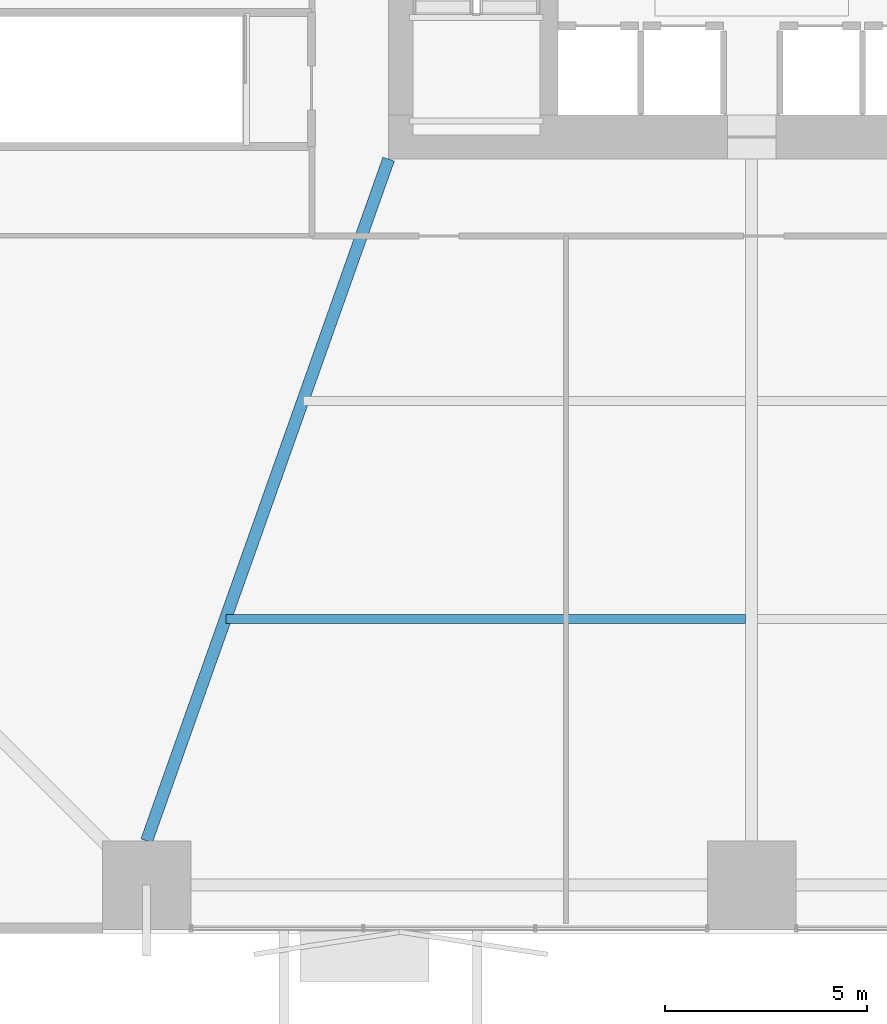
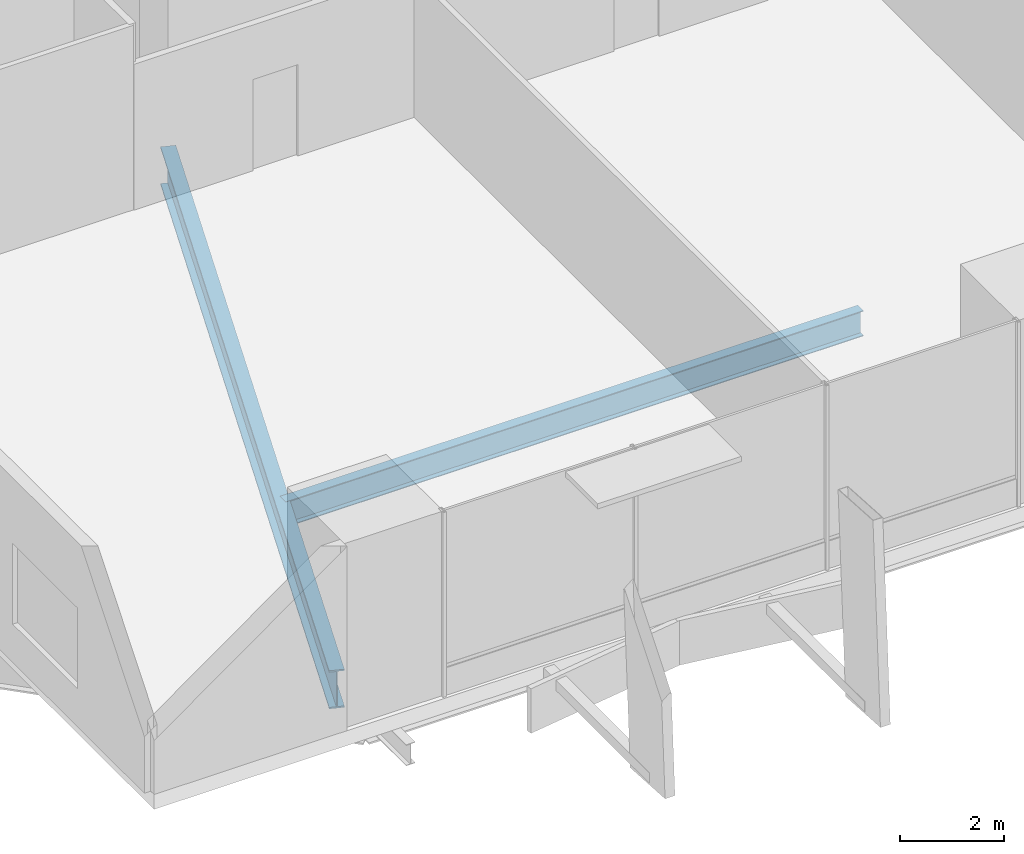
# One storey, part 3 of 24: 2 beams.
"""IFC4 building model written with IfcOpenShell, lengths in metres."""

from ifc_helpers import new_model, si_unit, direction, frame, origin, origin_2d, place, context, subcontext, project, spatial, i_section, extrude, material, material_profile, profile_set, type_object, element, save


model = new_model("IFC4")

# Units and contexts
model_context = context("Model", 3, precision=1e-05, world=origin(), true_north=direction((0.0, 1.0)))
body_context = subcontext(model_context, "Body", "Model", "MODEL_VIEW")
ifc_project = project(units=[si_unit("LENGTHUNIT", "METRE"), si_unit("AREAUNIT", "SQUARE_METRE"), si_unit("VOLUMEUNIT", "CUBIC_METRE"), si_unit("PLANEANGLEUNIT", "RADIAN"), si_unit("MASSUNIT", "GRAM", prefix="KILO")], contexts=[model_context])

# Site, building, storey
site_placement = place(None, origin())
site = spatial("IfcSite", under=ifc_project, at=site_placement, CompositionType="ELEMENT")
building_placement = place(site_placement, origin())
building = spatial("IfcBuilding", under=site, at=building_placement, Name="Belovzor Exchange Tower", CompositionType="ELEMENT")
storey_placement = place(building_placement, frame((0.0, 0.0, 19.199951171875)))
storey = spatial("IfcBuildingStorey", under=building, at=storey_placement, Name="L04", CompositionType="ELEMENT", Elevation=19.199951171875)

# Beams
ifc_material_1 = material(Name="Steel S460", Category="steel")
ifc_material_profile_1 = material_profile(ifc_material_1, i_section(OverallWidth=0.300048828125, OverallDepth=0.89990234375, WebThickness=0.0185546875, FlangeThickness=0.034912109375, at=origin_2d()))
ifc_profile_set_1 = profile_set([ifc_material_profile_1], Name="Steel S460")
beam_type_1 = type_object("IfcBeamType", Name="Podium Radial Clear-Span Girder HEB 900", PredefinedType="BEAM", material=ifc_profile_set_1)
beam_1_placement = place(storey_placement, frame((19.800048828125, 19.800048828125, -0.800048828125), z_axis=(-0.334567025634, -0.94237195701, 0.0), x_axis=(0.94237195701, -0.334567025634, 0.0)))
element("IfcBeam", 1, at=beam_1_placement, inside=storey, type_object=beam_type_1, Name="PG-2 Podium Radial Clear-Span Girder HEB 900", PredefinedType="BEAM", context=body_context, shape_type="SweptSolid", body=[
    extrude(i_section(OverallWidth=0.300048828125, OverallDepth=0.89990234375, WebThickness=0.0185546875, FlangeThickness=0.034912109375, at=origin_2d()), origin(), (0.0, 0.0, 1.0), 17.93359375),
])
ifc_material_2 = material(Name="Steel S355", Category="steel")
ifc_material_profile_2 = material_profile(ifc_material_2, i_section(OverallWidth=0.219970703125, OverallDepth=0.60009765625, WebThickness=0.011962890625, FlangeThickness=0.01904296875, at=origin_2d()))
ifc_profile_set_2 = profile_set([ifc_material_profile_2], Name="Steel S355")
beam_type_2 = type_object("IfcBeamType", Name="Podium Secondary Composite Floor Beam IPE 600", PredefinedType="BEAM", material=ifc_profile_set_2)
beam_2_placement = place(storey_placement, frame((15.77294921875, 8.39990234375, -0.64990234375), z_axis=(1.0, 0.0, 0.0), x_axis=(0.0, 1.0, 0.0)))
element("IfcBeam", 2, at=beam_2_placement, inside=storey, type_object=beam_type_2, Name="FB-600 Podium Secondary Composite Floor Beam IPE 600", PredefinedType="BEAM", context=body_context, shape_type="SweptSolid", body=[
    extrude(i_section(OverallWidth=0.219970703125, OverallDepth=0.60009765625, WebThickness=0.011962890625, FlangeThickness=0.01904296875, at=origin_2d()), origin(), (0.0, 0.0, 1.0), 12.876953125),
])

save(model, "model.ifc")
